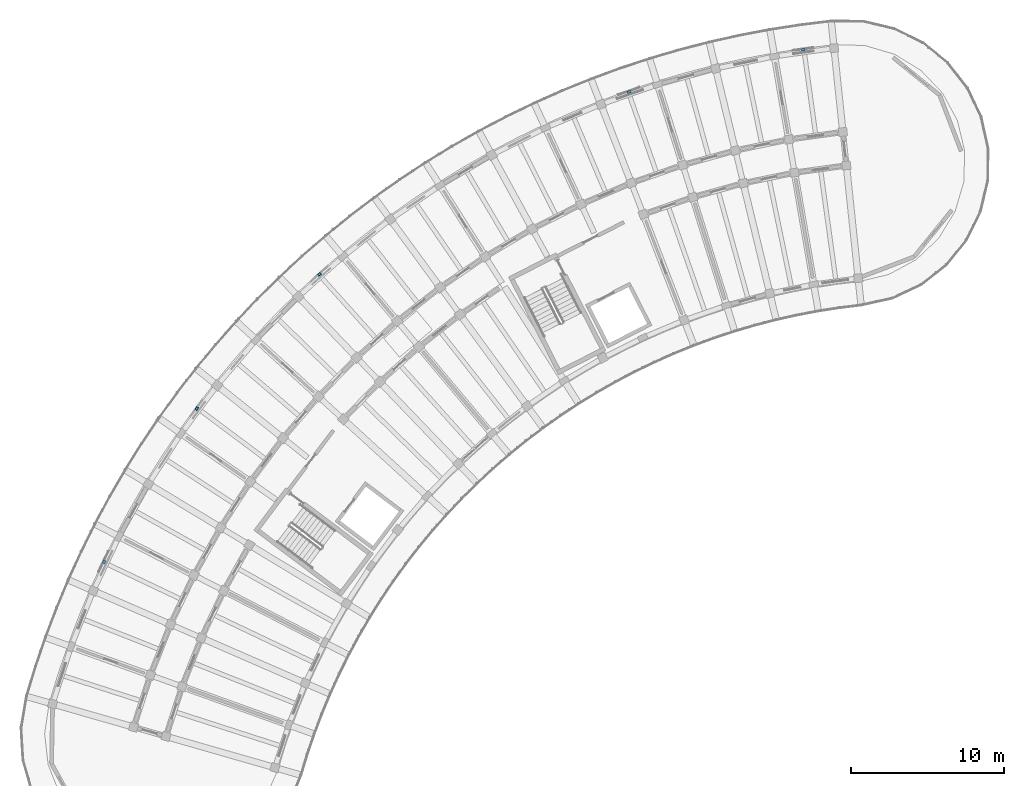
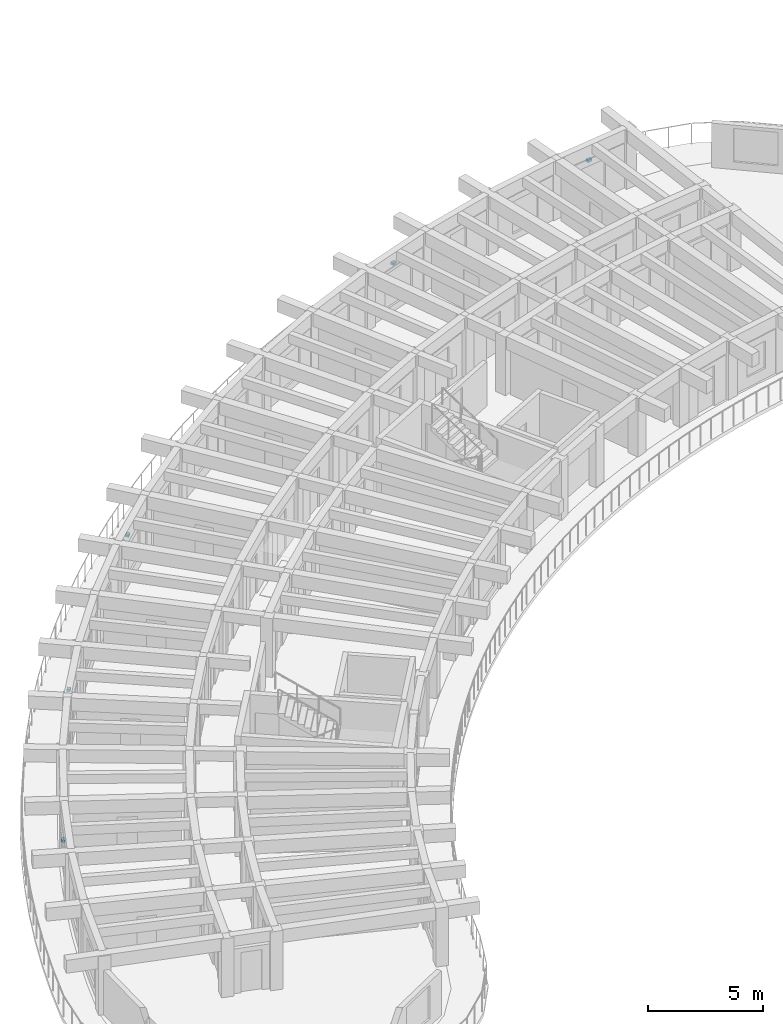
# One storey, part 49 of 69: 5 discrete accessories.
"""IFC4 building model written with IfcOpenShell, lengths in metres."""

from ifc_helpers import new_model, si_unit, direction, frame, origin, origin_2d, place, context, subcontext, project, spatial, rectangle, extrude, material, type_object, element, save


model = new_model("IFC4")

# Units and contexts
model_context = context("Model", 3, precision=1e-05, world=origin(), true_north=direction((0.0, 1.0)))
body_context = subcontext(model_context, "Body", "Model", "MODEL_VIEW")
ifc_project = project(units=[si_unit("LENGTHUNIT", "METRE"), si_unit("AREAUNIT", "SQUARE_METRE"), si_unit("VOLUMEUNIT", "CUBIC_METRE"), si_unit("PLANEANGLEUNIT", "RADIAN"), si_unit("MASSUNIT", "GRAM", prefix="KILO")], contexts=[model_context])

# Site, building, storey
site_placement = place(None, origin())
site = spatial("IfcSite", under=ifc_project, at=site_placement, CompositionType="ELEMENT")
building_placement = place(site_placement, origin())
building = spatial("IfcBuilding", under=site, at=building_placement, Name="Tanwirah Colonnade Gardens", CompositionType="ELEMENT")
storey_placement = place(building_placement, frame((0.0, 0.0, 15.56005859375)))
storey = spatial("IfcBuildingStorey", under=building, at=storey_placement, Name="L04", CompositionType="ELEMENT", Elevation=15.56005859375)

# Discrete accessories
ifc_material = material(Name="Steel S355", Category="steel")
discrete_accessory_type = type_object("IfcDiscreteAccessoryType", Name="BRK-SS1", PredefinedType="BRACKET", material=ifc_material)
for number, where, z_axis, x_axis, name in (
    (1, (56.765380859375, 119.3193359375, 2.0), (0.0, 0.0, 1.0), (-0.990536278911, -0.137251157233, 0.0), "Solar screen support bracket A-L04-00"),
    (2, (45.38818359375, 116.576416015625, 2.199951171875), (0.0, 0.0, 1.0), (-0.944248569489, -0.329233411151, 0.0), "Solar screen support bracket A-L04-03"),
    (3, (25.17724609375, 104.6640625, 2.0849609375), (0.0, 0.0, 1.0), (-0.744443246346, -0.667685744172, 0.0), "Solar screen support bracket A-L04-09"),
    (4, (17.1650390625, 95.9033203125, 2.0), (0.0, 0.0, 1.0), (-0.598713571255, -0.800963207392, 0.0), "Solar screen support bracket A-L04-12"),
    (5, (11.117919921875, 85.88330078125, 2.199951171875), (0.0, 0.0, 1.0), (-0.429636092721, -0.903002119506, 0.0), "Solar screen support bracket A-L04-15"),
):
    element("IfcDiscreteAccessory", number, at=place(storey_placement, frame(where, z_axis=z_axis, x_axis=x_axis)), inside=storey, type_object=discrete_accessory_type, Name=name, PredefinedType="BRACKET", context=body_context, shape_type="SweptSolid", body=[
        extrude(rectangle(XDim=0.219970703125, YDim=0.159912109375, at=origin_2d()), origin(), (0.0, 0.0, 1.0), 0.1201171875),
    ])

save(model, "model.ifc")
